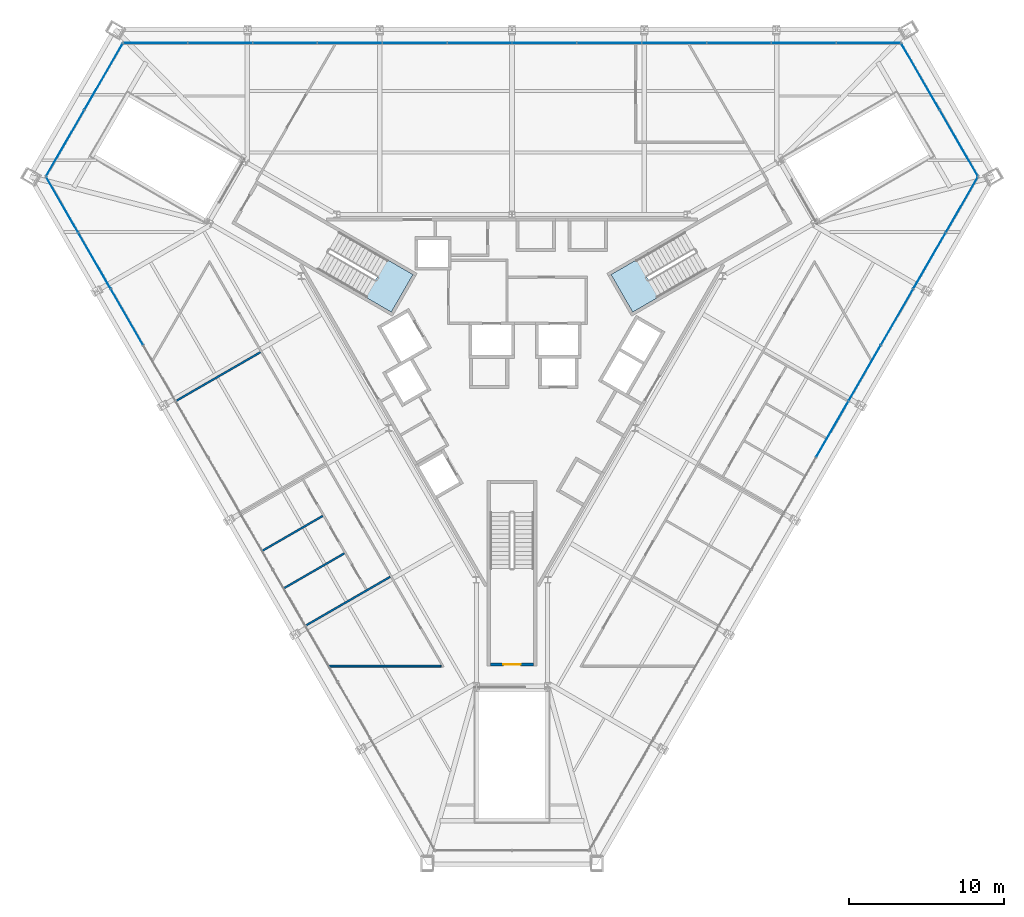
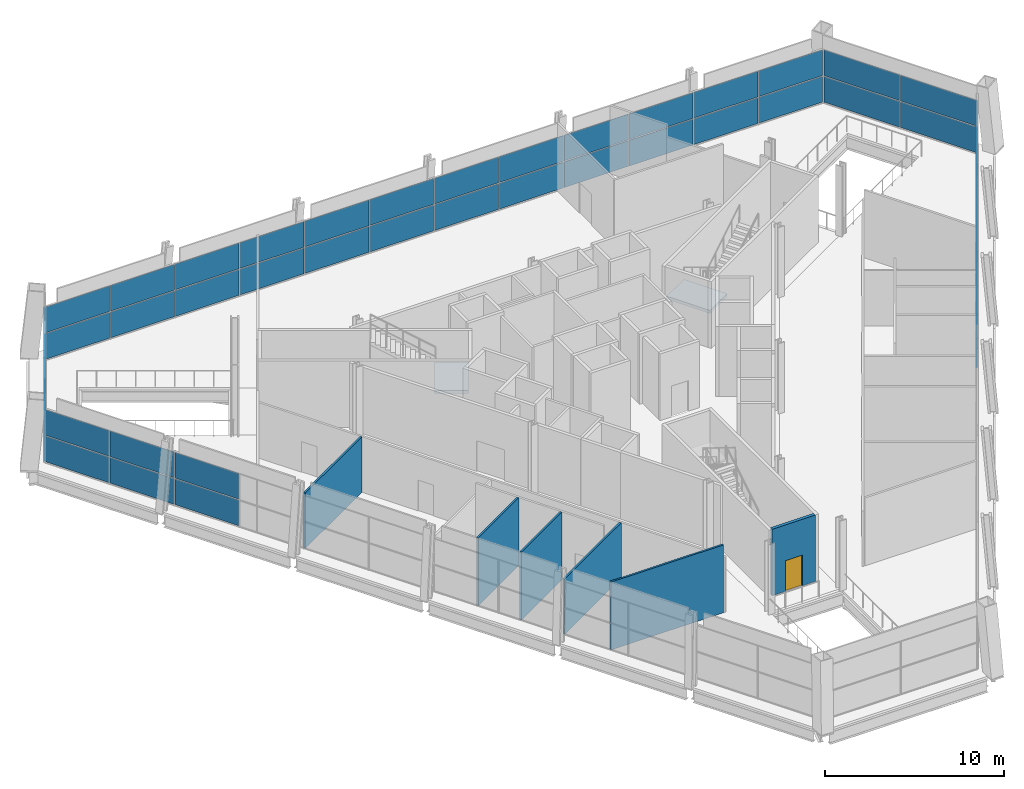
# One storey, part 12 of 18: 48 plates, 6 walls, 2 slabs, 1 door, 1 opening, 7 elements without a shape of their own.
"""IFC4 building model written with IfcOpenShell, lengths in metres."""

from ifc_helpers import new_model, si_unit, direction, frame, frame_2d, origin, origin_2d, place, context, subcontext, project, spatial, polyline, rectangle, outline, extrude, material, layer, layer_set, type_object, element, fill, aggregate, save


model = new_model("IFC4")

# Units and contexts
model_context = context("Model", 3, precision=1e-05, world=origin(), true_north=direction((0.0, 1.0)))
body_context = subcontext(model_context, "Body", "Model", "MODEL_VIEW")
ifc_project = project(units=[si_unit("LENGTHUNIT", "METRE"), si_unit("AREAUNIT", "SQUARE_METRE"), si_unit("VOLUMEUNIT", "CUBIC_METRE"), si_unit("PLANEANGLEUNIT", "RADIAN"), si_unit("MASSUNIT", "GRAM", prefix="KILO")], contexts=[model_context])

# Site, building, storey
site_placement = place(None, origin())
site = spatial("IfcSite", under=ifc_project, at=site_placement, CompositionType="ELEMENT")
building_placement = place(site_placement, origin())
building = spatial("IfcBuilding", under=site, at=building_placement, Name="Verrane Prism Tower", CompositionType="ELEMENT")
storey_placement = place(building_placement, frame((0.0, 0.0, 32.0)))
storey = spatial("IfcBuildingStorey", under=building, at=storey_placement, Name="L05", CompositionType="ELEMENT", Elevation=32.0)

# Curtain wall, plates
ifc_material_1 = material(Name="Aluminium and glass curtain wall", Category="aluminium")
ifc_layer_1 = layer(ifc_material_1, 0.199951171875)
ifc_layer_set_1 = layer_set([ifc_layer_1], Name="CWB-1 retail curtain wall")
curtain_wall_type = type_object("IfcCurtainWallType", Name="CWB-1 retail curtain wall", PredefinedType="NOTDEFINED", material=ifc_layer_set_1)
curtain_wall_1_placement = place(storey_placement, origin())
curtain_wall_1 = element("IfcCurtainWall", 1, at=curtain_wall_1_placement, inside=storey, type_object=curtain_wall_type, Name="Retail curtain wall L05 1", PredefinedType="NOTDEFINED")
ifc_material_2 = material(Name="Glass double glazed low-e", Category="glass")
ifc_layer_2 = layer(ifc_material_2, 0.028076171875)
ifc_layer_set_2 = layer_set([ifc_layer_2], Name="CWB-P 28 mm low-e glass panel")
plate_type = type_object("IfcPlateType", Name="CWB-P 28 mm low-e glass panel", PredefinedType="CURTAIN_PANEL", material=ifc_layer_set_2)
plate_1_placement = place(storey_placement, frame((28.875732421875, 13.813232421875, 0.06005859375), z_axis=(0.0, 0.0, 1.0), x_axis=(-0.499999190758, 0.866025871, 0.0)))
plate_1 = element("IfcPlate", 2, at=plate_1_placement, type_object=plate_type, Name="CWB51 panel 1.1", PredefinedType="CURTAIN_PANEL", context=body_context, shape_type="SweptSolid", body=[
    extrude(rectangle(XDim=4.890380859375, YDim=0.028076171875, at=origin_2d()), origin(), (0.0, 0.0, 1.0), 1.7548828125),
])
plate_2_placement = place(storey_placement, frame((28.875732421875, 13.813232421875, 1.875), z_axis=(0.0, 0.0, 1.0), x_axis=(-0.499999190758, 0.866025871, 0.0)))
plate_2 = element("IfcPlate", 3, at=plate_2_placement, type_object=plate_type, Name="CWB51 panel 1.2", PredefinedType="CURTAIN_PANEL", context=body_context, shape_type="SweptSolid", body=[
    extrude(rectangle(XDim=4.890380859375, YDim=0.028076171875, at=origin_2d()), origin(), (0.0, 0.0, 1.0), 1.7548828125),
])
plate_3_placement = place(storey_placement, frame((26.400390625, 18.100341796875, 0.06005859375), z_axis=(0.0, 0.0, 1.0), x_axis=(-0.499999190758, 0.866025871, 0.0)))
plate_3 = element("IfcPlate", 4, at=plate_3_placement, type_object=plate_type, Name="CWB51 panel 2.1", PredefinedType="CURTAIN_PANEL", context=body_context, shape_type="SweptSolid", body=[
    extrude(rectangle(XDim=4.890380859375, YDim=0.028076171875, at=origin_2d()), origin(), (0.0, 0.0, 1.0), 1.7548828125),
])
plate_4_placement = place(storey_placement, frame((26.400390625, 18.100341796875, 1.875), z_axis=(0.0, 0.0, 1.0), x_axis=(-0.499999190758, 0.866025871, 0.0)))
plate_4 = element("IfcPlate", 5, at=plate_4_placement, type_object=plate_type, Name="CWB51 panel 2.2", PredefinedType="CURTAIN_PANEL", context=body_context, shape_type="SweptSolid", body=[
    extrude(rectangle(XDim=4.890380859375, YDim=0.028076171875, at=origin_2d()), origin(), (0.0, 0.0, 1.0), 1.7548828125),
])
aggregate(curtain_wall_1, [plate_1, plate_2, plate_3, plate_4])

curtain_wall_2_placement = place(storey_placement, origin())
curtain_wall_2 = element("IfcCurtainWall", 6, at=curtain_wall_2_placement, inside=storey, type_object=curtain_wall_type, Name="Retail curtain wall L05 2", PredefinedType="NOTDEFINED")
plate_5_placement = place(storey_placement, frame((23.037109375, 20.27001953125, 0.06005859375), z_axis=(0.0, 0.0, 1.0), x_axis=(-1.0, 0.0, 0.0)))
plate_5 = element("IfcPlate", 7, at=plate_5_placement, type_object=plate_type, Name="CWB52 panel 1.1", PredefinedType="CURTAIN_PANEL", context=body_context, shape_type="SweptSolid", body=[
    extrude(rectangle(XDim=4.101318359375, YDim=0.028076171875, at=origin_2d()), origin(), (0.0, 0.0, 1.0), 1.7548828125),
])
plate_6_placement = place(storey_placement, frame((23.037109375, 20.27001953125, 1.875), z_axis=(0.0, 0.0, 1.0), x_axis=(-1.0, 0.0, 0.0)))
plate_6 = element("IfcPlate", 8, at=plate_6_placement, type_object=plate_type, Name="CWB52 panel 1.2", PredefinedType="CURTAIN_PANEL", context=body_context, shape_type="SweptSolid", body=[
    extrude(rectangle(XDim=4.101318359375, YDim=0.028076171875, at=origin_2d()), origin(), (0.0, 0.0, 1.0), 1.7548828125),
])
plate_7_placement = place(storey_placement, frame((18.86083984375, 20.27001953125, 0.06005859375), z_axis=(0.0, 0.0, 1.0), x_axis=(-1.0, 0.0, 0.0)))
plate_7 = element("IfcPlate", 9, at=plate_7_placement, type_object=plate_type, Name="CWB52 panel 2.1", PredefinedType="CURTAIN_PANEL", context=body_context, shape_type="SweptSolid", body=[
    extrude(rectangle(XDim=4.13134765625, YDim=0.028076171875, at=origin_2d()), origin(), (0.0, 0.0, 1.0), 1.7548828125),
])
plate_8_placement = place(storey_placement, frame((18.86083984375, 20.27001953125, 1.875), z_axis=(0.0, 0.0, 1.0), x_axis=(-1.0, 0.0, 0.0)))
plate_8 = element("IfcPlate", 10, at=plate_8_placement, type_object=plate_type, Name="CWB52 panel 2.2", PredefinedType="CURTAIN_PANEL", context=body_context, shape_type="SweptSolid", body=[
    extrude(rectangle(XDim=4.13134765625, YDim=0.028076171875, at=origin_2d()), origin(), (0.0, 0.0, 1.0), 1.7548828125),
])
plate_9_placement = place(storey_placement, frame((14.669677734375, 20.27001953125, 0.06005859375), z_axis=(0.0, 0.0, 1.0), x_axis=(-1.0, 0.0, 0.0)))
plate_9 = element("IfcPlate", 11, at=plate_9_placement, type_object=plate_type, Name="CWB52 panel 3.1", PredefinedType="CURTAIN_PANEL", context=body_context, shape_type="SweptSolid", body=[
    extrude(rectangle(XDim=4.13134765625, YDim=0.028076171875, at=origin_2d()), origin(), (0.0, 0.0, 1.0), 1.7548828125),
])
plate_10_placement = place(storey_placement, frame((14.669677734375, 20.27001953125, 1.875), z_axis=(0.0, 0.0, 1.0), x_axis=(-1.0, 0.0, 0.0)))
plate_10 = element("IfcPlate", 12, at=plate_10_placement, type_object=plate_type, Name="CWB52 panel 3.2", PredefinedType="CURTAIN_PANEL", context=body_context, shape_type="SweptSolid", body=[
    extrude(rectangle(XDim=4.13134765625, YDim=0.028076171875, at=origin_2d()), origin(), (0.0, 0.0, 1.0), 1.7548828125),
])
plate_11_placement = place(storey_placement, frame((10.478271484375, 20.27001953125, 0.06005859375), z_axis=(0.0, 0.0, 1.0), x_axis=(-1.0, 0.0, 0.0)))
plate_11 = element("IfcPlate", 13, at=plate_11_placement, type_object=plate_type, Name="CWB52 panel 4.1", PredefinedType="CURTAIN_PANEL", context=body_context, shape_type="SweptSolid", body=[
    extrude(rectangle(XDim=4.13134765625, YDim=0.028076171875, at=origin_2d()), origin(), (0.0, 0.0, 1.0), 1.7548828125),
])
plate_12_placement = place(storey_placement, frame((10.478271484375, 20.27001953125, 1.875), z_axis=(0.0, 0.0, 1.0), x_axis=(-1.0, 0.0, 0.0)))
plate_12 = element("IfcPlate", 14, at=plate_12_placement, type_object=plate_type, Name="CWB52 panel 4.2", PredefinedType="CURTAIN_PANEL", context=body_context, shape_type="SweptSolid", body=[
    extrude(rectangle(XDim=4.13134765625, YDim=0.028076171875, at=origin_2d()), origin(), (0.0, 0.0, 1.0), 1.7548828125),
])
plate_13_placement = place(storey_placement, frame((6.286865234375, 20.27001953125, 0.06005859375), z_axis=(0.0, 0.0, 1.0), x_axis=(-1.0, 0.0, 0.0)))
plate_13 = element("IfcPlate", 15, at=plate_13_placement, type_object=plate_type, Name="CWB52 panel 5.1", PredefinedType="CURTAIN_PANEL", context=body_context, shape_type="SweptSolid", body=[
    extrude(rectangle(XDim=4.13134765625, YDim=0.028076171875, at=origin_2d()), origin(), (0.0, 0.0, 1.0), 1.7548828125),
])
plate_14_placement = place(storey_placement, frame((6.286865234375, 20.27001953125, 1.875), z_axis=(0.0, 0.0, 1.0), x_axis=(-1.0, 0.0, 0.0)))
plate_14 = element("IfcPlate", 16, at=plate_14_placement, type_object=plate_type, Name="CWB52 panel 5.2", PredefinedType="CURTAIN_PANEL", context=body_context, shape_type="SweptSolid", body=[
    extrude(rectangle(XDim=4.13134765625, YDim=0.028076171875, at=origin_2d()), origin(), (0.0, 0.0, 1.0), 1.7548828125),
])
plate_15_placement = place(storey_placement, frame((2.095703125, 20.27001953125, 0.06005859375), z_axis=(0.0, 0.0, 1.0), x_axis=(-1.0, 0.0, 0.0)))
plate_15 = element("IfcPlate", 17, at=plate_15_placement, type_object=plate_type, Name="CWB52 panel 6.1", PredefinedType="CURTAIN_PANEL", context=body_context, shape_type="SweptSolid", body=[
    extrude(rectangle(XDim=4.13134765625, YDim=0.028076171875, at=origin_2d()), origin(), (0.0, 0.0, 1.0), 1.7548828125),
])
plate_16_placement = place(storey_placement, frame((2.095703125, 20.27001953125, 1.875), z_axis=(0.0, 0.0, 1.0), x_axis=(-1.0, 0.0, 0.0)))
plate_16 = element("IfcPlate", 18, at=plate_16_placement, type_object=plate_type, Name="CWB52 panel 6.2", PredefinedType="CURTAIN_PANEL", context=body_context, shape_type="SweptSolid", body=[
    extrude(rectangle(XDim=4.13134765625, YDim=0.028076171875, at=origin_2d()), origin(), (0.0, 0.0, 1.0), 1.7548828125),
])
plate_17_placement = place(storey_placement, frame((-2.095703125, 20.27001953125, 0.06005859375), z_axis=(0.0, 0.0, 1.0), x_axis=(-1.0, 0.0, 0.0)))
plate_17 = element("IfcPlate", 19, at=plate_17_placement, type_object=plate_type, Name="CWB52 panel 7.1", PredefinedType="CURTAIN_PANEL", context=body_context, shape_type="SweptSolid", body=[
    extrude(rectangle(XDim=4.13134765625, YDim=0.028076171875, at=origin_2d()), origin(), (0.0, 0.0, 1.0), 1.7548828125),
])
plate_18_placement = place(storey_placement, frame((-2.095703125, 20.27001953125, 1.875), z_axis=(0.0, 0.0, 1.0), x_axis=(-1.0, 0.0, 0.0)))
plate_18 = element("IfcPlate", 20, at=plate_18_placement, type_object=plate_type, Name="CWB52 panel 7.2", PredefinedType="CURTAIN_PANEL", context=body_context, shape_type="SweptSolid", body=[
    extrude(rectangle(XDim=4.13134765625, YDim=0.028076171875, at=origin_2d()), origin(), (0.0, 0.0, 1.0), 1.7548828125),
])
plate_19_placement = place(storey_placement, frame((-6.286865234375, 20.27001953125, 0.06005859375), z_axis=(0.0, 0.0, 1.0), x_axis=(-1.0, 0.0, 0.0)))
plate_19 = element("IfcPlate", 21, at=plate_19_placement, type_object=plate_type, Name="CWB52 panel 8.1", PredefinedType="CURTAIN_PANEL", context=body_context, shape_type="SweptSolid", body=[
    extrude(rectangle(XDim=4.13134765625, YDim=0.028076171875, at=origin_2d()), origin(), (0.0, 0.0, 1.0), 1.7548828125),
])
plate_20_placement = place(storey_placement, frame((-6.286865234375, 20.27001953125, 1.875), z_axis=(0.0, 0.0, 1.0), x_axis=(-1.0, 0.0, 0.0)))
plate_20 = element("IfcPlate", 22, at=plate_20_placement, type_object=plate_type, Name="CWB52 panel 8.2", PredefinedType="CURTAIN_PANEL", context=body_context, shape_type="SweptSolid", body=[
    extrude(rectangle(XDim=4.13134765625, YDim=0.028076171875, at=origin_2d()), origin(), (0.0, 0.0, 1.0), 1.7548828125),
])
plate_21_placement = place(storey_placement, frame((-10.478271484375, 20.27001953125, 0.06005859375), z_axis=(0.0, 0.0, 1.0), x_axis=(-1.0, 0.0, 0.0)))
plate_21 = element("IfcPlate", 23, at=plate_21_placement, type_object=plate_type, Name="CWB52 panel 9.1", PredefinedType="CURTAIN_PANEL", context=body_context, shape_type="SweptSolid", body=[
    extrude(rectangle(XDim=4.13134765625, YDim=0.028076171875, at=origin_2d()), origin(), (0.0, 0.0, 1.0), 1.7548828125),
])
plate_22_placement = place(storey_placement, frame((-10.478271484375, 20.27001953125, 1.875), z_axis=(0.0, 0.0, 1.0), x_axis=(-1.0, 0.0, 0.0)))
plate_22 = element("IfcPlate", 24, at=plate_22_placement, type_object=plate_type, Name="CWB52 panel 9.2", PredefinedType="CURTAIN_PANEL", context=body_context, shape_type="SweptSolid", body=[
    extrude(rectangle(XDim=4.13134765625, YDim=0.028076171875, at=origin_2d()), origin(), (0.0, 0.0, 1.0), 1.7548828125),
])
plate_23_placement = place(storey_placement, frame((-14.669677734375, 20.27001953125, 0.06005859375), z_axis=(0.0, 0.0, 1.0), x_axis=(-1.0, 0.0, 0.0)))
plate_23 = element("IfcPlate", 25, at=plate_23_placement, type_object=plate_type, Name="CWB52 panel 10.1", PredefinedType="CURTAIN_PANEL", context=body_context, shape_type="SweptSolid", body=[
    extrude(rectangle(XDim=4.13134765625, YDim=0.028076171875, at=origin_2d()), origin(), (0.0, 0.0, 1.0), 1.7548828125),
])
plate_24_placement = place(storey_placement, frame((-14.669677734375, 20.27001953125, 1.875), z_axis=(0.0, 0.0, 1.0), x_axis=(-1.0, 0.0, 0.0)))
plate_24 = element("IfcPlate", 26, at=plate_24_placement, type_object=plate_type, Name="CWB52 panel 10.2", PredefinedType="CURTAIN_PANEL", context=body_context, shape_type="SweptSolid", body=[
    extrude(rectangle(XDim=4.13134765625, YDim=0.028076171875, at=origin_2d()), origin(), (0.0, 0.0, 1.0), 1.7548828125),
])
plate_25_placement = place(storey_placement, frame((-18.86083984375, 20.27001953125, 0.06005859375), z_axis=(0.0, 0.0, 1.0), x_axis=(-1.0, 0.0, 0.0)))
plate_25 = element("IfcPlate", 27, at=plate_25_placement, type_object=plate_type, Name="CWB52 panel 11.1", PredefinedType="CURTAIN_PANEL", context=body_context, shape_type="SweptSolid", body=[
    extrude(rectangle(XDim=4.13134765625, YDim=0.028076171875, at=origin_2d()), origin(), (0.0, 0.0, 1.0), 1.7548828125),
])
plate_26_placement = place(storey_placement, frame((-18.86083984375, 20.27001953125, 1.875), z_axis=(0.0, 0.0, 1.0), x_axis=(-1.0, 0.0, 0.0)))
plate_26 = element("IfcPlate", 28, at=plate_26_placement, type_object=plate_type, Name="CWB52 panel 11.2", PredefinedType="CURTAIN_PANEL", context=body_context, shape_type="SweptSolid", body=[
    extrude(rectangle(XDim=4.13134765625, YDim=0.028076171875, at=origin_2d()), origin(), (0.0, 0.0, 1.0), 1.7548828125),
])
plate_27_placement = place(storey_placement, frame((-23.037109375, 20.27001953125, 0.06005859375), z_axis=(0.0, 0.0, 1.0), x_axis=(-1.0, 0.0, 0.0)))
plate_27 = element("IfcPlate", 29, at=plate_27_placement, type_object=plate_type, Name="CWB52 panel 12.1", PredefinedType="CURTAIN_PANEL", context=body_context, shape_type="SweptSolid", body=[
    extrude(rectangle(XDim=4.101318359375, YDim=0.028076171875, at=origin_2d()), origin(), (0.0, 0.0, 1.0), 1.7548828125),
])
plate_28_placement = place(storey_placement, frame((-23.037109375, 20.27001953125, 1.875), z_axis=(0.0, 0.0, 1.0), x_axis=(-1.0, 0.0, 0.0)))
plate_28 = element("IfcPlate", 30, at=plate_28_placement, type_object=plate_type, Name="CWB52 panel 12.2", PredefinedType="CURTAIN_PANEL", context=body_context, shape_type="SweptSolid", body=[
    extrude(rectangle(XDim=4.101318359375, YDim=0.028076171875, at=origin_2d()), origin(), (0.0, 0.0, 1.0), 1.7548828125),
])
aggregate(curtain_wall_2, [plate_5, plate_6, plate_7, plate_8, plate_9, plate_10, plate_11, plate_12, plate_13, plate_14, plate_15, plate_16, plate_17, plate_18, plate_19, plate_20, plate_21, plate_22, plate_23, plate_24, plate_25, plate_26, plate_27, plate_28])

curtain_wall_3_placement = place(storey_placement, origin())
curtain_wall_3 = element("IfcCurtainWall", 31, at=curtain_wall_3_placement, inside=storey, type_object=curtain_wall_type, Name="Retail curtain wall L05 3", PredefinedType="NOTDEFINED")
plate_29_placement = place(storey_placement, frame((-26.400390625, 18.100341796875, 0.06005859375), z_axis=(0.0, 0.0, 1.0), x_axis=(-0.499999190758, -0.866025871, 0.0)))
plate_29 = element("IfcPlate", 32, at=plate_29_placement, type_object=plate_type, Name="CWB53 panel 1.1", PredefinedType="CURTAIN_PANEL", context=body_context, shape_type="SweptSolid", body=[
    extrude(rectangle(XDim=4.890380859375, YDim=0.028076171875, at=origin_2d()), origin(), (0.0, 0.0, 1.0), 1.7548828125),
])
plate_30_placement = place(storey_placement, frame((-26.400390625, 18.100341796875, 1.875), z_axis=(0.0, 0.0, 1.0), x_axis=(-0.499999190758, -0.866025871, 0.0)))
plate_30 = element("IfcPlate", 33, at=plate_30_placement, type_object=plate_type, Name="CWB53 panel 1.2", PredefinedType="CURTAIN_PANEL", context=body_context, shape_type="SweptSolid", body=[
    extrude(rectangle(XDim=4.890380859375, YDim=0.028076171875, at=origin_2d()), origin(), (0.0, 0.0, 1.0), 1.7548828125),
])
plate_31_placement = place(storey_placement, frame((-28.875732421875, 13.813232421875, 0.06005859375), z_axis=(0.0, 0.0, 1.0), x_axis=(-0.499999190758, -0.866025871, 0.0)))
plate_31 = element("IfcPlate", 34, at=plate_31_placement, type_object=plate_type, Name="CWB53 panel 2.1", PredefinedType="CURTAIN_PANEL", context=body_context, shape_type="SweptSolid", body=[
    extrude(rectangle(XDim=4.890380859375, YDim=0.028076171875, at=origin_2d()), origin(), (0.0, 0.0, 1.0), 1.7548828125),
])
plate_32_placement = place(storey_placement, frame((-28.875732421875, 13.813232421875, 1.875), z_axis=(0.0, 0.0, 1.0), x_axis=(-0.499999190758, -0.866025871, 0.0)))
plate_32 = element("IfcPlate", 35, at=plate_32_placement, type_object=plate_type, Name="CWB53 panel 2.2", PredefinedType="CURTAIN_PANEL", context=body_context, shape_type="SweptSolid", body=[
    extrude(rectangle(XDim=4.890380859375, YDim=0.028076171875, at=origin_2d()), origin(), (0.0, 0.0, 1.0), 1.7548828125),
])
aggregate(curtain_wall_3, [plate_29, plate_30, plate_31, plate_32])

curtain_wall_4_placement = place(storey_placement, origin())
curtain_wall_4 = element("IfcCurtainWall", 36, at=curtain_wall_4_placement, inside=storey, type_object=curtain_wall_type, Name="Retail curtain wall L05 4", PredefinedType="NOTDEFINED")
plate_33_placement = place(storey_placement, frame((-29.072998046875, 9.81591796875, 0.06005859375), z_axis=(0.0, 0.0, 1.0), x_axis=(0.50000011897, -0.866025335097, 0.0)))
plate_33 = element("IfcPlate", 37, at=plate_33_placement, type_object=plate_type, Name="CWB54 panel 1.1", PredefinedType="CURTAIN_PANEL", context=body_context, shape_type="SweptSolid", body=[
    extrude(rectangle(XDim=4.101318359375, YDim=0.028076171875, at=origin_2d()), origin(), (0.0, 0.0, 1.0), 1.7548828125),
])
plate_34_placement = place(storey_placement, frame((-29.072998046875, 9.81591796875, 1.875), z_axis=(0.0, 0.0, 1.0), x_axis=(0.50000011897, -0.866025335097, 0.0)))
plate_34 = element("IfcPlate", 38, at=plate_34_placement, type_object=plate_type, Name="CWB54 panel 1.2", PredefinedType="CURTAIN_PANEL", context=body_context, shape_type="SweptSolid", body=[
    extrude(rectangle(XDim=4.101318359375, YDim=0.028076171875, at=origin_2d()), origin(), (0.0, 0.0, 1.0), 1.7548828125),
])
plate_35_placement = place(storey_placement, frame((-26.98486328125, 6.198974609375, 0.06005859375), z_axis=(0.0, 0.0, 1.0), x_axis=(0.50000011897, -0.866025335097, 0.0)))
plate_35 = element("IfcPlate", 39, at=plate_35_placement, type_object=plate_type, Name="CWB54 panel 2.1", PredefinedType="CURTAIN_PANEL", context=body_context, shape_type="SweptSolid", body=[
    extrude(rectangle(XDim=4.13134765625, YDim=0.028076171875, at=origin_2d()), origin(), (0.0, 0.0, 1.0), 1.7548828125),
])
plate_36_placement = place(storey_placement, frame((-26.98486328125, 6.198974609375, 1.875), z_axis=(0.0, 0.0, 1.0), x_axis=(0.50000011897, -0.866025335097, 0.0)))
plate_36 = element("IfcPlate", 40, at=plate_36_placement, type_object=plate_type, Name="CWB54 panel 2.2", PredefinedType="CURTAIN_PANEL", context=body_context, shape_type="SweptSolid", body=[
    extrude(rectangle(XDim=4.13134765625, YDim=0.028076171875, at=origin_2d()), origin(), (0.0, 0.0, 1.0), 1.7548828125),
])
plate_37_placement = place(storey_placement, frame((-24.88916015625, 2.5693359375, 0.06005859375), z_axis=(0.0, 0.0, 1.0), x_axis=(0.50000011897, -0.866025335097, 0.0)))
plate_37 = element("IfcPlate", 41, at=plate_37_placement, type_object=plate_type, Name="CWB54 panel 3.1", PredefinedType="CURTAIN_PANEL", context=body_context, shape_type="SweptSolid", body=[
    extrude(rectangle(XDim=4.13134765625, YDim=0.028076171875, at=origin_2d()), origin(), (0.0, 0.0, 1.0), 1.7548828125),
])
plate_38_placement = place(storey_placement, frame((-24.88916015625, 2.5693359375, 1.875), z_axis=(0.0, 0.0, 1.0), x_axis=(0.50000011897, -0.866025335097, 0.0)))
plate_38 = element("IfcPlate", 42, at=plate_38_placement, type_object=plate_type, Name="CWB54 panel 3.2", PredefinedType="CURTAIN_PANEL", context=body_context, shape_type="SweptSolid", body=[
    extrude(rectangle(XDim=4.13134765625, YDim=0.028076171875, at=origin_2d()), origin(), (0.0, 0.0, 1.0), 1.7548828125),
])
aggregate(curtain_wall_4, [plate_33, plate_34, plate_35, plate_36, plate_37, plate_38])

curtain_wall_5_placement = place(storey_placement, origin())
curtain_wall_5 = element("IfcCurtainWall", 43, at=curtain_wall_5_placement, inside=storey, type_object=curtain_wall_type, Name="Retail curtain wall L05 6", PredefinedType="NOTDEFINED")
plate_39_placement = place(storey_placement, frame((20.69775390625, -4.6904296875, 0.06005859375), z_axis=(0.0, 0.0, 1.0), x_axis=(0.50000011897, 0.866025335097, 0.0)))
plate_39 = element("IfcPlate", 44, at=plate_39_placement, type_object=plate_type, Name="CWB56 panel 8.1", PredefinedType="CURTAIN_PANEL", context=body_context, shape_type="SweptSolid", body=[
    extrude(rectangle(XDim=4.13134765625, YDim=0.028076171875, at=origin_2d()), origin(), (0.0, 0.0, 1.0), 1.7548828125),
])
plate_40_placement = place(storey_placement, frame((20.69775390625, -4.6904296875, 1.875), z_axis=(0.0, 0.0, 1.0), x_axis=(0.50000011897, 0.866025335097, 0.0)))
plate_40 = element("IfcPlate", 45, at=plate_40_placement, type_object=plate_type, Name="CWB56 panel 8.2", PredefinedType="CURTAIN_PANEL", context=body_context, shape_type="SweptSolid", body=[
    extrude(rectangle(XDim=4.13134765625, YDim=0.028076171875, at=origin_2d()), origin(), (0.0, 0.0, 1.0), 1.7548828125),
])
plate_41_placement = place(storey_placement, frame((22.79345703125, -1.060546875, 0.06005859375), z_axis=(0.0, 0.0, 1.0), x_axis=(0.50000011897, 0.866025335097, 0.0)))
plate_41 = element("IfcPlate", 46, at=plate_41_placement, type_object=plate_type, Name="CWB56 panel 9.1", PredefinedType="CURTAIN_PANEL", context=body_context, shape_type="SweptSolid", body=[
    extrude(rectangle(XDim=4.13134765625, YDim=0.028076171875, at=origin_2d()), origin(), (0.0, 0.0, 1.0), 1.7548828125),
])
plate_42_placement = place(storey_placement, frame((22.79345703125, -1.060546875, 1.875), z_axis=(0.0, 0.0, 1.0), x_axis=(0.50000011897, 0.866025335097, 0.0)))
plate_42 = element("IfcPlate", 47, at=plate_42_placement, type_object=plate_type, Name="CWB56 panel 9.2", PredefinedType="CURTAIN_PANEL", context=body_context, shape_type="SweptSolid", body=[
    extrude(rectangle(XDim=4.13134765625, YDim=0.028076171875, at=origin_2d()), origin(), (0.0, 0.0, 1.0), 1.7548828125),
])
plate_43_placement = place(storey_placement, frame((24.88916015625, 2.5693359375, 0.06005859375), z_axis=(0.0, 0.0, 1.0), x_axis=(0.50000011897, 0.866025335097, 0.0)))
plate_43 = element("IfcPlate", 48, at=plate_43_placement, type_object=plate_type, Name="CWB56 panel 10.1", PredefinedType="CURTAIN_PANEL", context=body_context, shape_type="SweptSolid", body=[
    extrude(rectangle(XDim=4.13134765625, YDim=0.028076171875, at=origin_2d()), origin(), (0.0, 0.0, 1.0), 1.7548828125),
])
plate_44_placement = place(storey_placement, frame((24.88916015625, 2.5693359375, 1.875), z_axis=(0.0, 0.0, 1.0), x_axis=(0.50000011897, 0.866025335097, 0.0)))
plate_44 = element("IfcPlate", 49, at=plate_44_placement, type_object=plate_type, Name="CWB56 panel 10.2", PredefinedType="CURTAIN_PANEL", context=body_context, shape_type="SweptSolid", body=[
    extrude(rectangle(XDim=4.13134765625, YDim=0.028076171875, at=origin_2d()), origin(), (0.0, 0.0, 1.0), 1.7548828125),
])
plate_45_placement = place(storey_placement, frame((26.98486328125, 6.198974609375, 0.06005859375), z_axis=(0.0, 0.0, 1.0), x_axis=(0.50000011897, 0.866025335097, 0.0)))
plate_45 = element("IfcPlate", 50, at=plate_45_placement, type_object=plate_type, Name="CWB56 panel 11.1", PredefinedType="CURTAIN_PANEL", context=body_context, shape_type="SweptSolid", body=[
    extrude(rectangle(XDim=4.13134765625, YDim=0.028076171875, at=origin_2d()), origin(), (0.0, 0.0, 1.0), 1.7548828125),
])
plate_46_placement = place(storey_placement, frame((26.98486328125, 6.198974609375, 1.875), z_axis=(0.0, 0.0, 1.0), x_axis=(0.50000011897, 0.866025335097, 0.0)))
plate_46 = element("IfcPlate", 51, at=plate_46_placement, type_object=plate_type, Name="CWB56 panel 11.2", PredefinedType="CURTAIN_PANEL", context=body_context, shape_type="SweptSolid", body=[
    extrude(rectangle(XDim=4.13134765625, YDim=0.028076171875, at=origin_2d()), origin(), (0.0, 0.0, 1.0), 1.7548828125),
])
plate_47_placement = place(storey_placement, frame((29.072998046875, 9.81591796875, 0.06005859375), z_axis=(0.0, 0.0, 1.0), x_axis=(0.50000011897, 0.866025335097, 0.0)))
plate_47 = element("IfcPlate", 52, at=plate_47_placement, type_object=plate_type, Name="CWB56 panel 12.1", PredefinedType="CURTAIN_PANEL", context=body_context, shape_type="SweptSolid", body=[
    extrude(rectangle(XDim=4.101318359375, YDim=0.028076171875, at=origin_2d()), origin(), (0.0, 0.0, 1.0), 1.7548828125),
])
plate_48_placement = place(storey_placement, frame((29.072998046875, 9.81591796875, 1.875), z_axis=(0.0, 0.0, 1.0), x_axis=(0.50000011897, 0.866025335097, 0.0)))
plate_48 = element("IfcPlate", 53, at=plate_48_placement, type_object=plate_type, Name="CWB56 panel 12.2", PredefinedType="CURTAIN_PANEL", context=body_context, shape_type="SweptSolid", body=[
    extrude(rectangle(XDim=4.101318359375, YDim=0.028076171875, at=origin_2d()), origin(), (0.0, 0.0, 1.0), 1.7548828125),
])
aggregate(curtain_wall_5, [plate_39, plate_40, plate_41, plate_42, plate_43, plate_44, plate_45, plate_46, plate_47, plate_48])

# Stair, slab
ifc_material_3 = material(Name="Concrete C40/50", Category="concrete")
stair_type = type_object("IfcStairType", Name="Exit stair 1300 dog-leg precast concrete C40/50", PredefinedType="HALF_TURN_STAIR", material=ifc_material_3)
stair_1_placement = place(storey_placement, origin())
stair_1 = element("IfcStair", 54, at=stair_1_placement, inside=storey, type_object=stair_type, Name="Stair 1 L05", PredefinedType="HALF_TURN_STAIR")
ifc_material_4 = material(Name="Concrete C40/50", Category="concrete")
ifc_layer_3 = layer(ifc_material_4, 0.199951171875)
ifc_layer_set_3 = layer_set([ifc_layer_3], Name="Stair landing 200 precast concrete C40/50")
slab_type = type_object("IfcSlabType", Name="Stair landing 200 precast concrete C40/50", PredefinedType="LANDING", material=ifc_layer_set_3)
slab_1_placement = place(storey_placement, frame((0.0, 0.0, 2.199951171875)))
slab_1 = element("IfcSlab", 55, at=slab_1_placement, type_object=slab_type, Name="Stair 1 landing 1", PredefinedType="LANDING", context=body_context, shape_type="SweptSolid", body=[
    extrude(outline(polyline([(8.064208984375, 6.2724609375), (6.4013671875, 5.3125), (7.801513671875, 2.887451171875), (9.464111328125, 3.84765625), (8.064208984375, 6.2724609375)])), origin(), (0.0, 0.0, 1.0), 0.199951171875),
])
aggregate(stair_1, [slab_1])

stair_2_placement = place(storey_placement, origin())
stair_2 = element("IfcStair", 56, at=stair_2_placement, inside=storey, type_object=stair_type, Name="Stair 2 L05", PredefinedType="HALF_TURN_STAIR")
slab_2_placement = place(storey_placement, frame((0.0, 0.0, 2.199951171875)))
slab_2 = element("IfcSlab", 57, at=slab_2_placement, type_object=slab_type, Name="Stair 2 landing 1", PredefinedType="LANDING", context=body_context, shape_type="SweptSolid", body=[
    extrude(outline(polyline([(-9.464111328125, 3.84765625), (-7.801513671875, 2.887451171875), (-6.4013671875, 5.3125), (-8.064208984375, 6.2724609375), (-9.464111328125, 3.84765625)])), origin(), (0.0, 0.0, 1.0), 0.199951171875),
])
aggregate(stair_2, [slab_2])

# Walls
ifc_material_5 = material(Name="Gypsum board partition", Category="other")
ifc_layer_4 = layer(ifc_material_5, 0.125)
ifc_layer_set_4 = layer_set([ifc_layer_4], Name="BW-125 demising wall 1 h")
wall_type_1 = type_object("IfcWallType", Name="BW-125 demising wall 1 h", PredefinedType="PARTITIONING", material=ifc_layer_set_4)
wall_1_placement = place(storey_placement, frame((-21.74609375, -2.875, 0.0), z_axis=(0.0, 0.0, 1.0), x_axis=(0.866118237319, 0.499839173118, 0.0)))
element("IfcWall", 58, at=wall_1_placement, inside=storey, type_object=wall_type_1, Name="Demising wall 002", PredefinedType="PARTITIONING", context=body_context, shape_type="SweptSolid", body=[
    extrude(rectangle(XDim=6.33740234375, YDim=0.125, at=frame_2d((3.168701171875, 0.0))), origin(), (0.0, 0.0, 1.0), 3.79296875),
])
ifc_material_6 = material(Name="Gypsum board partition", Category="other")
ifc_layer_5 = layer(ifc_material_6, 0.125)
ifc_layer_set_5 = layer_set([ifc_layer_5], Name="BW-125 plumbing wall")
wall_type_2 = type_object("IfcWallType", Name="BW-125 plumbing wall", PredefinedType="PARTITIONING", material=ifc_layer_set_5)
wall_2_placement = place(storey_placement, frame((-16.156982421875, -12.554931640625, 0.0), z_axis=(0.0, 0.0, 1.0), x_axis=(0.866009042838, 0.50002833692, 0.0)))
element("IfcWall", 59, at=wall_2_placement, inside=storey, type_object=wall_type_2, Name="Plumbing wall 006", PredefinedType="PARTITIONING", context=body_context, shape_type="SweptSolid", body=[
    extrude(rectangle(XDim=4.536865234375, YDim=0.125, at=frame_2d((2.2685546875, 0.0))), origin(), (0.0, 0.0, 1.0), 4.639892578125),
])
wall_3_placement = place(storey_placement, frame((-14.760009765625, -14.97509765625, 0.0), z_axis=(0.0, 0.0, 1.0), x_axis=(0.866030417568, 0.499991315771, 0.0)))
element("IfcWall", 60, at=wall_3_placement, inside=storey, type_object=wall_type_2, Name="Plumbing wall 007", PredefinedType="PARTITIONING", context=body_context, shape_type="SweptSolid", body=[
    extrude(rectangle(XDim=4.53271484375, YDim=0.125, at=frame_2d((2.266357421875, 0.0))), origin(), (0.0, 0.0, 1.0), 4.639892578125),
])
wall_4_placement = place(storey_placement, frame((-13.363037109375, -17.39501953125, 0.0), z_axis=(0.0, 0.0, 1.0), x_axis=(0.866044997331, 0.499966061446, 0.0)))
element("IfcWall", 61, at=wall_4_placement, inside=storey, type_object=wall_type_2, Name="Plumbing wall 009", PredefinedType="PARTITIONING", context=body_context, shape_type="SweptSolid", body=[
    extrude(rectangle(XDim=6.3330078125, YDim=0.125, at=frame_2d((3.16650390625, 0.0))), origin(), (0.0, 0.0, 1.0), 3.79296875),
])
ifc_material_7 = material(Name="Gypsum board partition", Category="other")
ifc_layer_6 = layer(ifc_material_7, 0.125)
ifc_layer_set_6 = layer_set([ifc_layer_6], Name="BW-125 shopfront wall 1 h")
wall_type_3 = type_object("IfcWallType", Name="BW-125 shopfront wall 1 h", PredefinedType="PARTITIONING", material=ifc_layer_set_6)
wall_5_placement = place(storey_placement, frame((-11.85888671875, -20.0, 0.0), z_axis=(0.0, 0.0, 1.0), x_axis=(1.0, 0.0, 0.0)))
element("IfcWall", 62, at=wall_5_placement, inside=storey, type_object=wall_type_3, Name="Shopfront wall 010", PredefinedType="PARTITIONING", context=body_context, shape_type="SweptSolid", body=[
    extrude(rectangle(XDim=7.284912109375, YDim=0.125, at=frame_2d((3.642578125, 0.0))), origin(), (0.0, 0.0, 1.0), 4.639892578125),
])

# Wall, opening, door
ifc_material_8 = material(Name="Concrete C40/50", Category="concrete")
ifc_layer_7 = layer(ifc_material_8, 0.199951171875)
ifc_layer_set_7 = layer_set([ifc_layer_7], Name="CW-200 stair core wall concrete C40/50 3 h")
wall_type_4 = type_object("IfcWallType", Name="CW-200 stair core wall concrete C40/50 3 h", PredefinedType="PARTITIONING", material=ifc_layer_set_7)
wall_6_placement = place(storey_placement, frame((-1.39990234375, -19.89990234375, 0.0), z_axis=(0.0, 0.0, 1.0), x_axis=(1.0, 0.0, 0.0)))
wall_6 = element("IfcWall", 63, at=wall_6_placement, inside=storey, type_object=wall_type_4, Name="Stair 3 enclosure wall", PredefinedType="PARTITIONING", context=body_context, shape_type="SweptSolid", body=[
    extrude(rectangle(XDim=2.7998046875, YDim=0.199951171875, at=frame_2d((1.39990234375, 0.0))), origin(), (0.0, 0.0, 1.0), 4.550048828125),
])
opening_placement = place(wall_6_placement, frame((0.85009765625, 0.0, 0.0)))
opening = element("IfcOpeningElement", 64, at=opening_placement, cuts=wall_6, Name="Opening D05502", PredefinedType="OPENING", context=body_context, shape_type="SweptSolid", body=[
    extrude(rectangle(XDim=1.10009765625, YDim=2.10009765625, at=frame_2d((0.550048828125, 1.050048828125))), frame((0.0, 0.10986328125, 0.0), z_axis=(0.0, -1.0, 0.0), x_axis=(1.0, 0.0, 0.0)), (0.0, 0.0, 1.0), 0.219970703125),
])
ifc_material_9 = material(Name="Timber veneered door leaf", Category="wood")
door_type = type_object("IfcDoorType", Name="DR-1100x2100 FD90 single leaf stair", OperationType="NOTDEFINED", PredefinedType="DOOR", material=ifc_material_9)
door_placement = place(opening_placement, origin())
door = element("IfcDoor", 65, at=door_placement, inside=storey, type_object=door_type, Name="Stair 3 door", OperationType="SINGLE_SWING_LEFT", OverallHeight=2.10009765625, OverallWidth=1.10009765625, PredefinedType="DOOR", context=body_context, shape_type="SweptSolid", body=[
    extrude(rectangle(XDim=1.10009765625, YDim=2.10009765625, at=frame_2d((0.550048828125, 1.050048828125))), frame((0.0, 0.02490234375, 0.0), z_axis=(0.0, -1.0, 0.0), x_axis=(1.0, 0.0, 0.0)), (0.0, 0.0, 1.0), 0.050048828125),
])
fill(opening, door)

save(model, "model.ifc")
